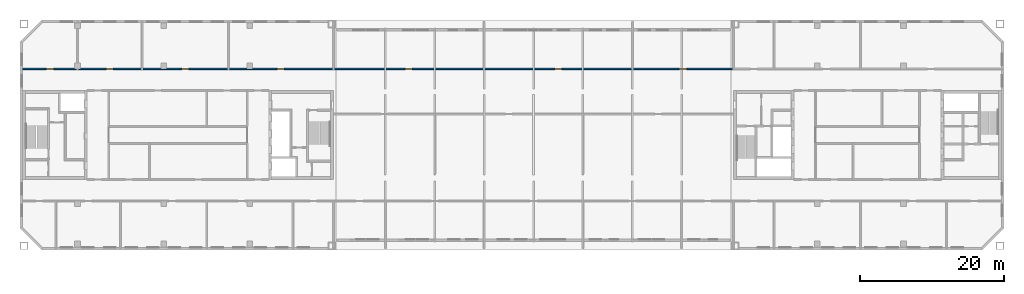
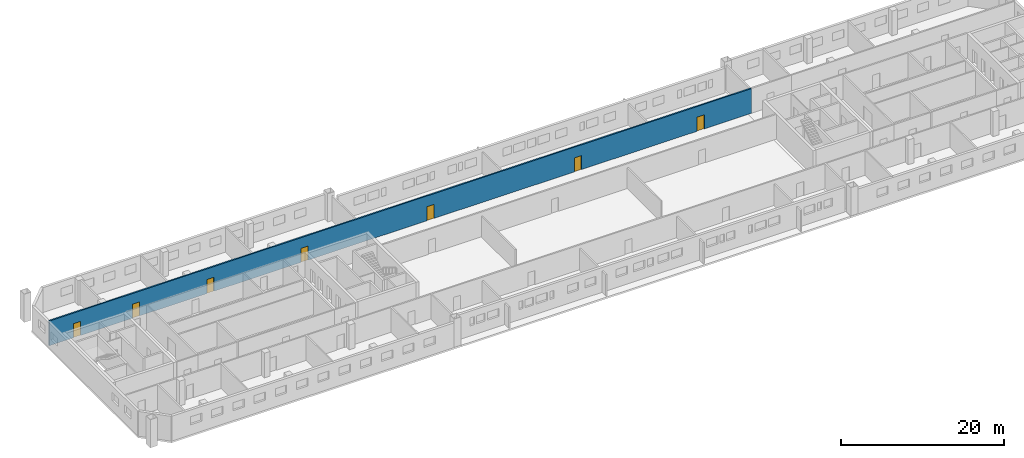
# One storey, part 5 of 13: 7 doors, 1 wall, 7 openings.
"""IFC4 building model written with IfcOpenShell, lengths in metres."""

from ifc_helpers import new_model, si_unit, direction, frame, frame_2d, origin, place, context, subcontext, project, spatial, rectangle, extrude, material, layer, layer_set, type_object, element, fill, save


model = new_model("IFC4")

# Units and contexts
model_context = context("Model", 3, precision=1e-05, world=origin(), true_north=direction((0.0, 1.0)))
body_context = subcontext(model_context, "Body", "Model", "MODEL_VIEW")
ifc_project = project(units=[si_unit("LENGTHUNIT", "METRE"), si_unit("AREAUNIT", "SQUARE_METRE"), si_unit("VOLUMEUNIT", "CUBIC_METRE"), si_unit("PLANEANGLEUNIT", "RADIAN"), si_unit("MASSUNIT", "GRAM", prefix="KILO")], contexts=[model_context])

# Site, building, storey
site_placement = place(None, origin())
site = spatial("IfcSite", under=ifc_project, at=site_placement, CompositionType="ELEMENT")
building_placement = place(site_placement, origin())
building = spatial("IfcBuilding", under=site, at=building_placement, Name="Tuart Gate Housing", CompositionType="ELEMENT")
storey_placement = place(building_placement, frame((0.0, 0.0, 198.60009765625)))
storey = spatial("IfcBuildingStorey", under=building, at=storey_placement, Name="L56", CompositionType="ELEMENT", Elevation=198.60009765625)

# Wall, openings, doors
ifc_material_1 = material(Name="Concrete masonry 15 MPa", Category="masonry")
ifc_layer = layer(ifc_material_1, 0.199951171875)
ifc_layer_set = layer_set([ifc_layer], Name="Enclosure wall masonry 200")
wall_type = type_object("IfcWallType", Name="Enclosure wall masonry 200", PredefinedType="PARTITIONING", material=ifc_layer_set)
wall_placement = place(storey_placement, frame((32.239990234375, 79.199951171875, 0.0), z_axis=(0.0, 0.0, 1.0), x_axis=(1.0, 0.0, 0.0)))
wall = element("IfcWall", 1, at=wall_placement, inside=storey, type_object=wall_type, Name="Enclosure wall masonry 200", PredefinedType="PARTITIONING", context=body_context, shape_type="SweptSolid", body=[
    extrude(rectangle(XDim=99.219970703125, YDim=0.199951171875, at=frame_2d((49.60986328125, 0.0))), origin(), (0.0, 0.0, 1.0), 3.699951171875),
])
opening_1_placement = place(wall_placement, frame((3.43994140625, 0.0, 0.0)))
opening_1 = element("IfcOpeningElement", 2, at=opening_1_placement, cuts=wall, Name="Opening D3586", PredefinedType="OPENING", context=body_context, shape_type="SweptSolid", body=[
    extrude(rectangle(XDim=1.0, YDim=2.10009765625, at=frame_2d((0.5, 1.050048828125))), frame((0.0, 0.10986328125, 0.0), z_axis=(0.0, -1.0, 0.0), x_axis=(1.0, 0.0, 0.0)), (0.0, 0.0, 1.0), 0.219970703125),
])
opening_2_placement = place(wall_placement, frame((11.760009765625, 0.0, 0.0)))
opening_2 = element("IfcOpeningElement", 3, at=opening_2_placement, cuts=wall, Name="Opening D3587", PredefinedType="OPENING", context=body_context, shape_type="SweptSolid", body=[
    extrude(rectangle(XDim=1.0, YDim=2.10009765625, at=frame_2d((0.5, 1.050048828125))), frame((0.0, 0.10986328125, 0.0), z_axis=(0.0, -1.0, 0.0), x_axis=(1.0, 0.0, 0.0)), (0.0, 0.0, 1.0), 0.219970703125),
])
opening_3_placement = place(wall_placement, frame((22.260009765625, 0.0, 0.0)))
opening_3 = element("IfcOpeningElement", 4, at=opening_3_placement, cuts=wall, Name="Opening D3588", PredefinedType="OPENING", context=body_context, shape_type="SweptSolid", body=[
    extrude(rectangle(XDim=1.0, YDim=2.10009765625, at=frame_2d((0.5, 1.050048828125))), frame((0.0, 0.10986328125, 0.0), z_axis=(0.0, -1.0, 0.0), x_axis=(1.0, 0.0, 0.0)), (0.0, 0.0, 1.0), 0.219970703125),
])
opening_4_placement = place(wall_placement, frame((35.580078125, 0.0, 0.0)))
opening_4 = element("IfcOpeningElement", 5, at=opening_4_placement, cuts=wall, Name="Opening D3589", PredefinedType="OPENING", context=body_context, shape_type="SweptSolid", body=[
    extrude(rectangle(XDim=1.0, YDim=2.10009765625, at=frame_2d((0.5, 1.050048828125))), frame((0.0, 0.10986328125, 0.0), z_axis=(0.0, -1.0, 0.0), x_axis=(1.0, 0.0, 0.0)), (0.0, 0.0, 1.0), 0.219970703125),
])
opening_5_placement = place(wall_placement, frame((53.39208984375, 0.0, 0.0)))
opening_5 = element("IfcOpeningElement", 6, at=opening_5_placement, cuts=wall, Name="Opening D3590", PredefinedType="OPENING", context=body_context, shape_type="SweptSolid", body=[
    extrude(rectangle(XDim=1.0, YDim=2.10009765625, at=frame_2d((0.5, 1.050048828125))), frame((0.0, 0.10986328125, 0.0), z_axis=(0.0, -1.0, 0.0), x_axis=(1.0, 0.0, 0.0)), (0.0, 0.0, 1.0), 0.219970703125),
])
opening_6_placement = place(wall_placement, frame((74.197998046875, 0.0, 0.0)))
opening_6 = element("IfcOpeningElement", 7, at=opening_6_placement, cuts=wall, Name="Opening D3591", PredefinedType="OPENING", context=body_context, shape_type="SweptSolid", body=[
    extrude(rectangle(XDim=1.0, YDim=2.10009765625, at=frame_2d((0.5, 1.050048828125))), frame((0.0, 0.10986328125, 0.0), z_axis=(0.0, -1.0, 0.0), x_axis=(1.0, 0.0, 0.0)), (0.0, 0.0, 1.0), 0.219970703125),
])
opening_7_placement = place(wall_placement, frame((91.56494140625, 0.0, 0.0)))
opening_7 = element("IfcOpeningElement", 8, at=opening_7_placement, cuts=wall, Name="Opening D3592", PredefinedType="OPENING", context=body_context, shape_type="SweptSolid", body=[
    extrude(rectangle(XDim=1.0, YDim=2.10009765625, at=frame_2d((0.5, 1.050048828125))), frame((0.0, 0.10986328125, 0.0), z_axis=(0.0, -1.0, 0.0), x_axis=(1.0, 0.0, 0.0)), (0.0, 0.0, 1.0), 0.219970703125),
])
ifc_material_2 = material(Name="Timber door leaf in steel frame", Category="steel")
door_type_1 = type_object("IfcDoorType", Name="Fire door 1000", OperationType="SINGLE_SWING_LEFT", PredefinedType="DOOR", material=ifc_material_2)
door_1_placement = place(opening_1_placement, origin())
door_1 = element("IfcDoor", 9, at=door_1_placement, inside=storey, type_object=door_type_1, Name="Fire door 1000", OperationType="SINGLE_SWING_LEFT", OverallHeight=2.10009765625, OverallWidth=1.0, PredefinedType="DOOR", context=body_context, shape_type="SweptSolid", body=[
    extrude(rectangle(XDim=1.0, YDim=2.10009765625, at=frame_2d((0.5, 1.050048828125))), frame((0.0, 0.02490234375, 0.0), z_axis=(0.0, -1.0, 0.0), x_axis=(1.0, 0.0, 0.0)), (0.0, 0.0, 1.0), 0.050048828125),
])
fill(opening_1, door_1)
door_2_placement = place(opening_2_placement, origin())
door_2 = element("IfcDoor", 10, at=door_2_placement, inside=storey, type_object=door_type_1, Name="Fire door 1000", OperationType="SINGLE_SWING_LEFT", OverallHeight=2.10009765625, OverallWidth=1.0, PredefinedType="DOOR", context=body_context, shape_type="SweptSolid", body=[
    extrude(rectangle(XDim=1.0, YDim=2.10009765625, at=frame_2d((0.5, 1.050048828125))), frame((0.0, 0.02490234375, 0.0), z_axis=(0.0, -1.0, 0.0), x_axis=(1.0, 0.0, 0.0)), (0.0, 0.0, 1.0), 0.050048828125),
])
fill(opening_2, door_2)
door_3_placement = place(opening_3_placement, origin())
door_3 = element("IfcDoor", 11, at=door_3_placement, inside=storey, type_object=door_type_1, Name="Fire door 1000", OperationType="SINGLE_SWING_LEFT", OverallHeight=2.10009765625, OverallWidth=1.0, PredefinedType="DOOR", context=body_context, shape_type="SweptSolid", body=[
    extrude(rectangle(XDim=1.0, YDim=2.10009765625, at=frame_2d((0.5, 1.050048828125))), frame((0.0, 0.02490234375, 0.0), z_axis=(0.0, -1.0, 0.0), x_axis=(1.0, 0.0, 0.0)), (0.0, 0.0, 1.0), 0.050048828125),
])
fill(opening_3, door_3)
door_4_placement = place(opening_4_placement, origin())
door_4 = element("IfcDoor", 12, at=door_4_placement, inside=storey, type_object=door_type_1, Name="Fire door 1000", OperationType="SINGLE_SWING_LEFT", OverallHeight=2.10009765625, OverallWidth=1.0, PredefinedType="DOOR", context=body_context, shape_type="SweptSolid", body=[
    extrude(rectangle(XDim=1.0, YDim=2.10009765625, at=frame_2d((0.5, 1.050048828125))), frame((0.0, 0.02490234375, 0.0), z_axis=(0.0, -1.0, 0.0), x_axis=(1.0, 0.0, 0.0)), (0.0, 0.0, 1.0), 0.050048828125),
])
fill(opening_4, door_4)
door_5_placement = place(opening_5_placement, origin())
door_5 = element("IfcDoor", 13, at=door_5_placement, inside=storey, type_object=door_type_1, Name="Fire door 1000", OperationType="SINGLE_SWING_LEFT", OverallHeight=2.10009765625, OverallWidth=1.0, PredefinedType="DOOR", context=body_context, shape_type="SweptSolid", body=[
    extrude(rectangle(XDim=1.0, YDim=2.10009765625, at=frame_2d((0.5, 1.050048828125))), frame((0.0, 0.02490234375, 0.0), z_axis=(0.0, -1.0, 0.0), x_axis=(1.0, 0.0, 0.0)), (0.0, 0.0, 1.0), 0.050048828125),
])
fill(opening_5, door_5)
door_6_placement = place(opening_7_placement, origin())
door_6 = element("IfcDoor", 14, at=door_6_placement, inside=storey, type_object=door_type_1, Name="Fire door 1000", OperationType="SINGLE_SWING_LEFT", OverallHeight=2.10009765625, OverallWidth=1.0, PredefinedType="DOOR", context=body_context, shape_type="SweptSolid", body=[
    extrude(rectangle(XDim=1.0, YDim=2.10009765625, at=frame_2d((0.5, 1.050048828125))), frame((0.0, 0.02490234375, 0.0), z_axis=(0.0, -1.0, 0.0), x_axis=(1.0, 0.0, 0.0)), (0.0, 0.0, 1.0), 0.050048828125),
])
fill(opening_7, door_6)
ifc_material_3 = material(Name="Timber door leaf in steel frame", Category="steel")
door_type_2 = type_object("IfcDoorType", Name="Fire door 1000 RH", OperationType="SINGLE_SWING_RIGHT", PredefinedType="DOOR", material=ifc_material_3)
door_7_placement = place(opening_6_placement, origin())
door_7 = element("IfcDoor", 15, at=door_7_placement, inside=storey, type_object=door_type_2, Name="Fire door 1000", OperationType="SINGLE_SWING_RIGHT", OverallHeight=2.10009765625, OverallWidth=1.0, PredefinedType="DOOR", context=body_context, shape_type="SweptSolid", body=[
    extrude(rectangle(XDim=1.0, YDim=2.10009765625, at=frame_2d((0.5, 1.050048828125))), frame((0.0, 0.02490234375, 0.0), z_axis=(0.0, -1.0, 0.0), x_axis=(1.0, 0.0, 0.0)), (0.0, 0.0, 1.0), 0.050048828125),
])
fill(opening_6, door_7)

save(model, "model.ifc")
